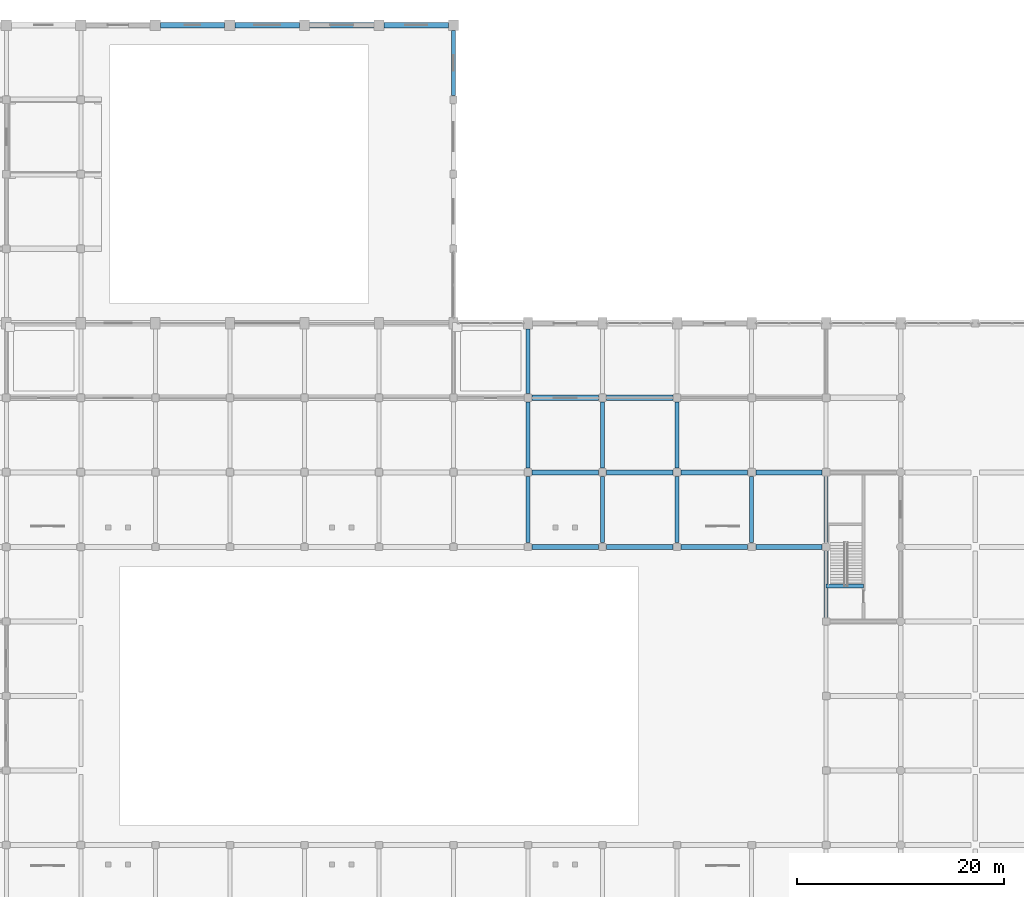
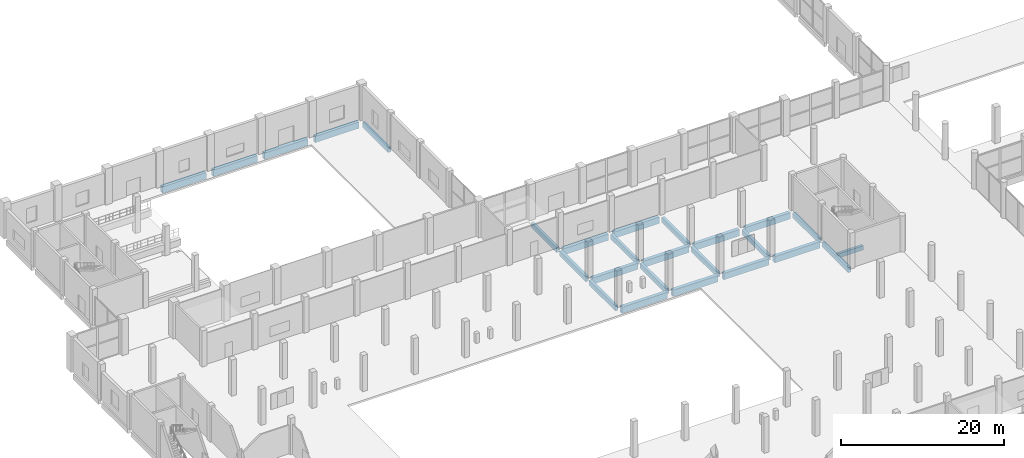
# One storey, part 24 of 70: 26 beams.
"""IFC4 building model written with IfcOpenShell, lengths in metres."""

from ifc_helpers import new_model, si_unit, direction, frame, origin, origin_2d, place, context, subcontext, project, spatial, rectangle, extrude, material, material_profile, profile_set, type_object, element, save


model = new_model("IFC4")

# Units and contexts
model_context = context("Model", 3, precision=1e-05, world=origin(), true_north=direction((0.0, 1.0)))
body_context = subcontext(model_context, "Body", "Model", "MODEL_VIEW")
ifc_project = project(units=[si_unit("LENGTHUNIT", "METRE"), si_unit("AREAUNIT", "SQUARE_METRE"), si_unit("VOLUMEUNIT", "CUBIC_METRE"), si_unit("PLANEANGLEUNIT", "RADIAN"), si_unit("MASSUNIT", "GRAM", prefix="KILO")], contexts=[model_context])

# Site, building, storey
site_placement = place(None, origin())
site = spatial("IfcSite", under=ifc_project, at=site_placement, CompositionType="ELEMENT")
building_placement = place(site_placement, origin())
building = spatial("IfcBuilding", under=site, at=building_placement, Name="Vesperath Aquatics Centre", CompositionType="ELEMENT")
storey_placement = place(building_placement, origin())
storey = spatial("IfcBuildingStorey", under=building, at=storey_placement, Name="L00", CompositionType="ELEMENT", Elevation=0.0)

# Beams
ifc_material_1 = material(Name="Concrete C40", Category="concrete")
ifc_material_profile_1 = material_profile(ifc_material_1, rectangle(XDim=0.5, YDim=0.949951171875, at=origin_2d()), Name="RC 500x950")
ifc_profile_set_1 = profile_set([ifc_material_profile_1], Name="Concrete C40")
beam_type_1 = type_object("IfcBeamType", Name="BM-G02", PredefinedType="BEAM", material=ifc_profile_set_1)
for number, where, z_axis, x_axis, name in (
    (1, (29.300048828125, 115.199951171875, -0.7548828125), (1.0, 0.0, 0.0), (0.0, 1.0, 0.0), "Floor Girder B02 L00 S 5-6"),
    (2, (36.5, 115.199951171875, -0.7548828125), (1.0, 0.0, 0.0), (0.0, 1.0, 0.0), "Floor Girder B02 L00 S 6-7"),
    (3, (43.699951171875, 115.199951171875, -0.7548828125), (1.0, 0.0, 0.0), (0.0, 1.0, 0.0), "Floor Girder B02 L00 S 7-8"),
):
    element("IfcBeam", number, at=place(storey_placement, frame(where, z_axis=z_axis, x_axis=x_axis)), inside=storey, type_object=beam_type_1, Name=name, PredefinedType="BEAM", context=body_context, shape_type="SweptSolid", body=[
        extrude(rectangle(XDim=0.5, YDim=0.949951171875, at=origin_2d()), origin(), (0.0, 0.0, 1.0), 6.199951171875),
    ])
beam_1_placement = place(storey_placement, frame((50.89990234375, 115.199951171875, -0.7548828125), z_axis=(1.0, 0.0, 0.0), x_axis=(0.0, 1.0, 0.0)))
element("IfcBeam", 4, at=beam_1_placement, inside=storey, type_object=beam_type_1, Name="Floor Girder B02 L00 S 8-9", PredefinedType="BEAM", context=body_context, shape_type="SweptSolid", body=[
    extrude(rectangle(XDim=0.5, YDim=0.949951171875, at=origin_2d()), origin(), (0.0, 0.0, 1.0), 6.2001953125),
])
for number, where, z_axis, x_axis, name in (
    (5, (65.199951171875, 64.800048828125, -0.7548828125), (1.0, 0.0, 0.0), (0.0, 1.0, 0.0), "Floor Girder B02 L00 K 10-11"),
    (6, (65.199951171875, 72.0, -0.7548828125), (1.0, 0.0, 0.0), (0.0, 1.0, 0.0), "Floor Girder B02 L00 L 10-11"),
    (7, (65.199951171875, 79.199951171875, -0.7548828125), (1.0, 0.0, 0.0), (0.0, 1.0, 0.0), "Floor Girder B02 L00 M 10-11"),
    (8, (72.39990234375, 64.800048828125, -0.7548828125), (1.0, 0.0, 0.0), (0.0, 1.0, 0.0), "Floor Girder B02 L00 K 11-12"),
    (9, (72.39990234375, 72.0, -0.7548828125), (1.0, 0.0, 0.0), (0.0, 1.0, 0.0), "Floor Girder B02 L00 L 11-12"),
    (10, (72.39990234375, 79.199951171875, -0.7548828125), (1.0, 0.0, 0.0), (0.0, 1.0, 0.0), "Floor Girder B02 L00 M 11-12"),
):
    element("IfcBeam", number, at=place(storey_placement, frame(where, z_axis=z_axis, x_axis=x_axis)), inside=storey, type_object=beam_type_1, Name=name, PredefinedType="BEAM", context=body_context, shape_type="SweptSolid", body=[
        extrude(rectangle(XDim=0.5, YDim=0.949951171875, at=origin_2d()), origin(), (0.0, 0.0, 1.0), 6.400146484375),
    ])
for number, where, z_axis, x_axis, name in (
    (11, (79.60009765625, 64.800048828125, -0.7548828125), (1.0, 0.0, 0.0), (0.0, 1.0, 0.0), "Floor Girder B02 L00 K 12-13"),
    (12, (79.60009765625, 72.0, -0.7548828125), (1.0, 0.0, 0.0), (0.0, 1.0, 0.0), "Floor Girder B02 L00 L 12-13"),
    (13, (86.800048828125, 64.800048828125, -0.7548828125), (1.0, 0.0, 0.0), (0.0, 1.0, 0.0), "Floor Girder B02 L00 K 13-14"),
    (14, (86.800048828125, 72.0, -0.7548828125), (1.0, 0.0, 0.0), (0.0, 1.0, 0.0), "Floor Girder B02 L00 L 13-14"),
):
    element("IfcBeam", number, at=place(storey_placement, frame(where, z_axis=z_axis, x_axis=x_axis)), inside=storey, type_object=beam_type_1, Name=name, PredefinedType="BEAM", context=body_context, shape_type="SweptSolid", body=[
        extrude(rectangle(XDim=0.5, YDim=0.949951171875, at=origin_2d()), origin(), (0.0, 0.0, 1.0), 6.39990234375),
    ])
ifc_material_2 = material(Name="Concrete C35", Category="concrete")
ifc_material_profile_2 = material_profile(ifc_material_2, rectangle(XDim=0.39990234375, YDim=0.75, at=origin_2d()), Name="RC 400x750")
ifc_profile_set_2 = profile_set([ifc_material_profile_2], Name="Concrete C35")
beam_type_2 = type_object("IfcBeamType", Name="BM-G04", PredefinedType="BEAM", material=ifc_profile_set_2)
beam_2_placement = place(storey_placement, frame((57.60009765625, 108.39990234375, -0.655029296875), z_axis=(0.0, 1.0, 0.0), x_axis=(-1.0, 0.0, 0.0)))
element("IfcBeam", 15, at=beam_2_placement, inside=storey, type_object=beam_type_2, Name="Floor Girder B04 L00 9 R-S", PredefinedType="BEAM", context=body_context, shape_type="SweptSolid", body=[
    extrude(rectangle(XDim=0.39990234375, YDim=0.75, at=origin_2d()), origin(), (0.0, 0.0, 1.0), 6.300048828125),
])
for number, where, z_axis, x_axis, name in (
    (16, (64.800048828125, 65.199951171875, -0.655029296875), (0.0, 1.0, 0.0), (-1.0, 0.0, 0.0), "Floor Girder B04 L00 10 K-L"),
    (17, (64.800048828125, 72.39990234375, -0.655029296875), (0.0, 1.0, 0.0), (-1.0, 0.0, 0.0), "Floor Girder B04 L00 10 L-M"),
):
    element("IfcBeam", number, at=place(storey_placement, frame(where, z_axis=z_axis, x_axis=x_axis)), inside=storey, type_object=beam_type_2, Name=name, PredefinedType="BEAM", context=body_context, shape_type="SweptSolid", body=[
        extrude(rectangle(XDim=0.39990234375, YDim=0.75, at=origin_2d()), origin(), (0.0, 0.0, 1.0), 6.400146484375),
    ])
beam_3_placement = place(storey_placement, frame((64.800048828125, 79.60009765625, -0.655029296875), z_axis=(0.0, 1.0, 0.0), x_axis=(-1.0, 0.0, 0.0)))
element("IfcBeam", 18, at=beam_3_placement, inside=storey, type_object=beam_type_2, Name="Floor Girder B04 L00 10 M-N", PredefinedType="BEAM", context=body_context, shape_type="SweptSolid", body=[
    extrude(rectangle(XDim=0.39990234375, YDim=0.75, at=origin_2d()), origin(), (0.0, 0.0, 1.0), 6.25),
])
for number, where, z_axis, x_axis, name in (
    (19, (72.0, 65.199951171875, -0.655029296875), (0.0, 1.0, 0.0), (-1.0, 0.0, 0.0), "Floor Girder B04 L00 11 K-L"),
    (20, (72.0, 72.39990234375, -0.655029296875), (0.0, 1.0, 0.0), (-1.0, 0.0, 0.0), "Floor Girder B04 L00 11 L-M"),
    (21, (79.199951171875, 65.199951171875, -0.655029296875), (0.0, 1.0, 0.0), (-1.0, 0.0, 0.0), "Floor Girder B04 L00 12 K-L"),
    (22, (79.199951171875, 72.39990234375, -0.655029296875), (0.0, 1.0, 0.0), (-1.0, 0.0, 0.0), "Floor Girder B04 L00 12 L-M"),
    (23, (86.39990234375, 65.199951171875, -0.655029296875), (0.0, 1.0, 0.0), (-1.0, 0.0, 0.0), "Floor Girder B04 L00 13 K-L"),
):
    element("IfcBeam", number, at=place(storey_placement, frame(where, z_axis=z_axis, x_axis=x_axis)), inside=storey, type_object=beam_type_2, Name=name, PredefinedType="BEAM", context=body_context, shape_type="SweptSolid", body=[
        extrude(rectangle(XDim=0.39990234375, YDim=0.75, at=origin_2d()), origin(), (0.0, 0.0, 1.0), 6.400146484375),
    ])
beam_4_placement = place(storey_placement, frame((93.60009765625, 58.0, -0.655029296875), z_axis=(0.0, 1.0, 0.0), x_axis=(-1.0, 0.0, 0.0)))
element("IfcBeam", 24, at=beam_4_placement, inside=storey, type_object=beam_type_2, Name="Floor Girder B04 L00 14 J-K", PredefinedType="BEAM", context=body_context, shape_type="SweptSolid", body=[
    extrude(rectangle(XDim=0.39990234375, YDim=0.75, at=origin_2d()), origin(), (0.0, 0.0, 1.0), 6.39990234375),
])
beam_5_placement = place(storey_placement, frame((93.60009765625, 65.199951171875, -0.655029296875), z_axis=(0.0, 1.0, 0.0), x_axis=(-1.0, 0.0, 0.0)))
element("IfcBeam", 25, at=beam_5_placement, inside=storey, type_object=beam_type_2, Name="Floor Girder B04 L00 14 K-L", PredefinedType="BEAM", context=body_context, shape_type="SweptSolid", body=[
    extrude(rectangle(XDim=0.39990234375, YDim=0.75, at=origin_2d()), origin(), (0.0, 0.0, 1.0), 6.400146484375),
])
ifc_material_profile_3 = material_profile(ifc_material_2, rectangle(XDim=0.35009765625, YDim=0.64990234375, at=origin_2d()), Name="RC 350x650")
ifc_profile_set_3 = profile_set([ifc_material_profile_3], Name="Concrete C35")
beam_type_3 = type_object("IfcBeamType", Name="BM-G05", PredefinedType="BEAM", material=ifc_profile_set_3)
beam_6_placement = place(storey_placement, frame((93.60009765625, 61.02001953125, -0.324951171875), z_axis=(1.0, 0.0, 0.0), x_axis=(0.0, 1.0, 0.0)))
element("IfcBeam", 26, at=beam_6_placement, inside=storey, type_object=beam_type_3, Name="Stair ST8 Landing Trimmer Beam B05 L00", PredefinedType="BEAM", context=body_context, shape_type="SweptSolid", body=[
    extrude(rectangle(XDim=0.35009765625, YDim=0.64990234375, at=origin_2d()), origin(), (0.0, 0.0, 1.0), 3.599853515625),
])

save(model, "model.ifc")
